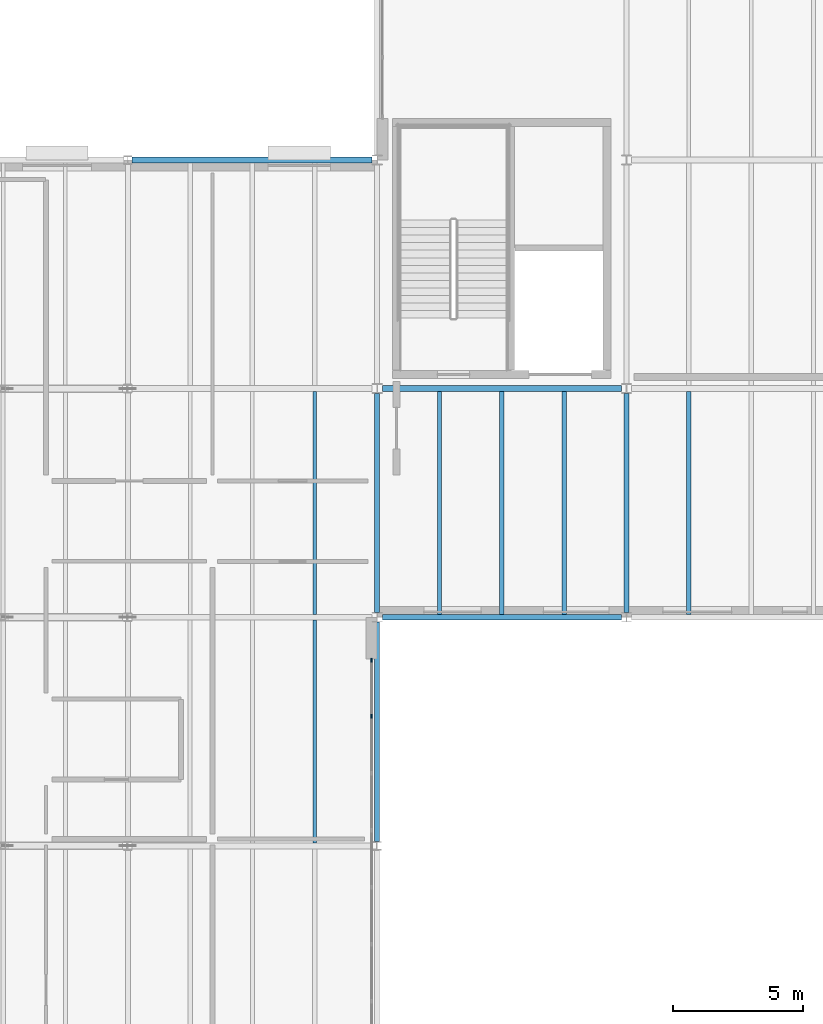
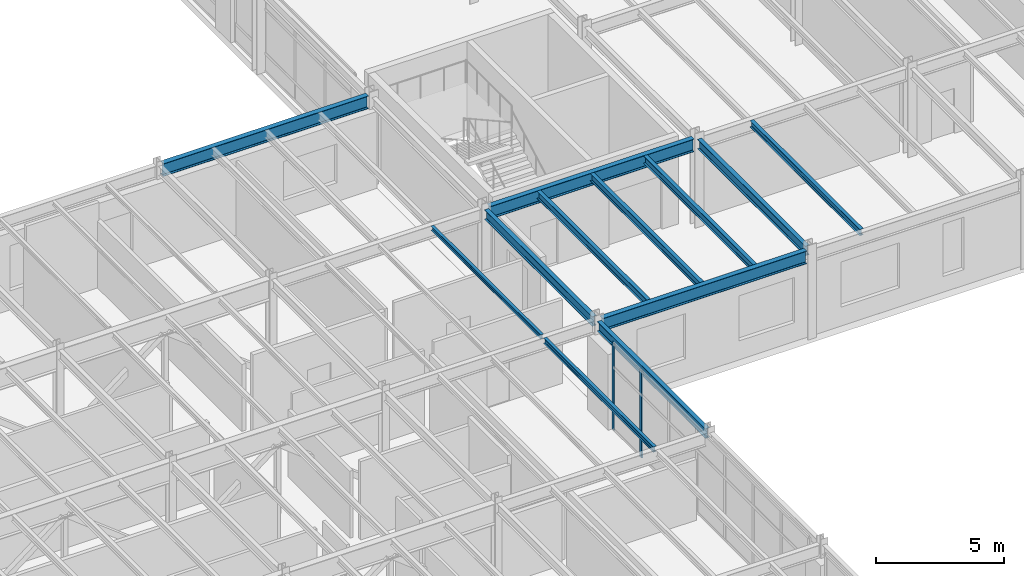
# One storey, part 35 of 88: 12 beams, 2 members, 1 element without a shape of its own.
"""IFC4 building model written with IfcOpenShell, lengths in metres."""

from ifc_helpers import new_model, si_unit, direction, frame, origin, origin_2d, place, context, subcontext, project, spatial, rectangle, i_section, extrude, material, material_profile, profile_set, type_object, element, aggregate, save


model = new_model("IFC4")

# Units and contexts
model_context = context("Model", 3, precision=1e-05, world=origin(), true_north=direction((0.0, 1.0)))
body_context = subcontext(model_context, "Body", "Model", "MODEL_VIEW")
ifc_project = project(units=[si_unit("LENGTHUNIT", "METRE"), si_unit("AREAUNIT", "SQUARE_METRE"), si_unit("VOLUMEUNIT", "CUBIC_METRE"), si_unit("PLANEANGLEUNIT", "RADIAN"), si_unit("MASSUNIT", "GRAM", prefix="KILO")], contexts=[model_context])

# Site, building, storey
site_placement = place(None, origin())
site = spatial("IfcSite", under=ifc_project, at=site_placement, CompositionType="ELEMENT")
building_placement = place(site_placement, origin())
building = spatial("IfcBuilding", under=site, at=building_placement, Name="Sarnbrook Museum", CompositionType="ELEMENT")
storey_placement = place(building_placement, frame((0.0, 0.0, 10.10009765625)))
storey = spatial("IfcBuildingStorey", under=building, at=storey_placement, Name="L02", CompositionType="ELEMENT", Elevation=10.10009765625)

# Beams
ifc_material_1 = material(Name="Structural Steel Grade 300PLUS (AS/NZS 3679.1, fy = 280 MPa for 17 < t <= 40 mm, 300 MPa for t <= 17 mm)", Category="steel")
ifc_material_profile_1 = material_profile(ifc_material_1, i_section(OverallWidth=0.18994140625, OverallDepth=0.45703125, WebThickness=0.009033203125, FlangeThickness=0.014404296875, FilletRadius=0.011474609375, at=origin_2d()), Name="460UB74.6")
ifc_profile_set_1 = profile_set([ifc_material_profile_1], Name="Structural Steel Grade 300PLUS (AS/NZS 3679.1, fy = 280 MPa for 17 < t <= 40 mm, 300 MPa for t <= 17 mm)")
beam_type_1 = type_object("IfcBeamType", Name="BM-UB460", PredefinedType="BEAM", material=ifc_profile_set_1)
beam_1_placement = place(storey_placement, frame((42.39990234375, 65.763427734375, 3.991455078125), z_axis=(0.0, 1.0, 0.0), x_axis=(-1.0, 0.0, 0.0)))
element("IfcBeam", 1, at=beam_1_placement, inside=storey, type_object=beam_type_1, Name="Girder 5:H-J L02", PredefinedType="BEAM", context=body_context, shape_type="SweptSolid", body=[
    extrude(i_section(OverallWidth=0.18994140625, OverallDepth=0.45703125, WebThickness=0.009033203125, FlangeThickness=0.014404296875, FilletRadius=0.011474609375, at=origin_2d()), origin(), (0.0, 0.0, 1.0), 8.445556640625),
])
for number, where, z_axis, x_axis, name in (
    (2, (42.39990234375, 74.591064453125, 3.9814453125), (0.0, 1.0, 0.0), (-1.0, 0.0, 0.0), "Girder 5:J-K L02"),
    (3, (52.0, 74.591064453125, 3.9814453125), (0.0, 1.0, 0.0), (-1.0, 0.0, 0.0), "Girder 6:J-K L02"),
):
    element("IfcBeam", number, at=place(storey_placement, frame(where, z_axis=z_axis, x_axis=x_axis)), inside=storey, type_object=beam_type_1, Name=name, PredefinedType="BEAM", context=body_context, shape_type="SweptSolid", body=[
        extrude(i_section(OverallWidth=0.18994140625, OverallDepth=0.45703125, WebThickness=0.009033203125, FlangeThickness=0.014404296875, FilletRadius=0.011474609375, at=origin_2d()), origin(), (0.0, 0.0, 1.0), 8.41796875),
    ])
ifc_material_profile_2 = material_profile(ifc_material_1, i_section(OverallWidth=0.22802734375, OverallDepth=0.60693359375, WebThickness=0.01123046875, FlangeThickness=0.017333984375, FilletRadius=0.013916015625, at=origin_2d()), Name="610UB113")
ifc_profile_set_2 = profile_set([ifc_material_profile_2], Name="Structural Steel Grade 300PLUS (AS/NZS 3679.1, fy = 280 MPa for 17 < t <= 40 mm, 300 MPa for t <= 17 mm)")
beam_type_2 = type_object("IfcBeamType", Name="BM-UB610", PredefinedType="BEAM", material=ifc_profile_set_2)
for number, where, z_axis, x_axis, name in (
    (4, (42.60009765625, 74.39990234375, 3.906494140625), (1.0, 0.0, 0.0), (0.0, 1.0, 0.0), "Girder J:5-6 L02"),
    (5, (42.60009765625, 83.199951171875, 3.906494140625), (1.0, 0.0, 0.0), (0.0, 1.0, 0.0), "Girder K:5-6 L02"),
):
    element("IfcBeam", number, at=place(storey_placement, frame(where, z_axis=z_axis, x_axis=x_axis)), inside=storey, type_object=beam_type_2, Name=name, PredefinedType="BEAM", context=body_context, shape_type="SweptSolid", body=[
        extrude(i_section(OverallWidth=0.22802734375, OverallDepth=0.60693359375, WebThickness=0.01123046875, FlangeThickness=0.017333984375, FilletRadius=0.013916015625, at=origin_2d()), origin(), (0.0, 0.0, 1.0), 9.199951171875),
    ])
beam_2_placement = place(storey_placement, frame((32.95556640625, 92.0, 3.986328125), z_axis=(1.0, 0.0, 0.0), x_axis=(0.0, 1.0, 0.0)))
element("IfcBeam", 6, at=beam_2_placement, inside=storey, type_object=beam_type_2, Name="Girder L:4-5 L02", PredefinedType="BEAM", context=body_context, shape_type="SweptSolid", body=[
    extrude(i_section(OverallWidth=0.22802734375, OverallDepth=0.60693359375, WebThickness=0.01123046875, FlangeThickness=0.017333984375, FilletRadius=0.013916015625, at=origin_2d()), origin(), (0.0, 0.0, 1.0), 9.244384765625),
])

# Curtain wall, members
ifc_material_2 = material(Name="Thermally Broken Anodised Aluminium 6063-T6", Category="aluminium")
curtain_wall_type = type_object("IfcCurtainWallType", Name="CurtainWall_GalleryRibbon", PredefinedType="NOTDEFINED", material=ifc_material_2)
curtain_wall_placement = place(storey_placement, origin())
curtain_wall = element("IfcCurtainWall", 7, at=curtain_wall_placement, inside=storey, type_object=curtain_wall_type, Name="Gallery Ribbon Curtain Wall L02-12.2", PredefinedType="NOTDEFINED")
ifc_material_profile_3 = material_profile(ifc_material_2, rectangle(XDim=0.06005859375, YDim=0.159912109375, at=origin_2d()), Name="ALU MULLION 60x160")
ifc_profile_set_3 = profile_set([ifc_material_profile_3], Name="Thermally Broken Anodised Aluminium 6063-T6")
member_type = type_object("IfcMemberType", Name="CW_Mullion_150x65", PredefinedType="MULLION", material=ifc_profile_set_3)
member_1_placement = place(storey_placement, frame((42.18994140625, 70.585693359375, 0.0), z_axis=(0.0, 0.0, 1.0), x_axis=(1.0, 0.0, 0.0)))
member_1 = element("IfcMember", 8, at=member_1_placement, type_object=member_type, Name="Gallery Ribbon Curtain Wall L02-12.2 Mullion 7", PredefinedType="MULLION", context=body_context, shape_type="SweptSolid", body=[
    extrude(rectangle(XDim=0.06005859375, YDim=0.159912109375, at=origin_2d()), origin(), (0.0, 0.0, 1.0), 4.159912109375),
])
member_2_placement = place(storey_placement, frame((42.18994140625, 72.739990234375, 0.0), z_axis=(0.0, 0.0, 1.0), x_axis=(1.0, 0.0, 0.0)))
member_2 = element("IfcMember", 9, at=member_2_placement, type_object=member_type, Name="Gallery Ribbon Curtain Wall L02-12.2 Mullion 8", PredefinedType="MULLION", context=body_context, shape_type="SweptSolid", body=[
    extrude(rectangle(XDim=0.06005859375, YDim=0.159912109375, at=origin_2d()), origin(), (0.0, 0.0, 1.0), 4.159912109375),
])
aggregate(curtain_wall, [member_1, member_2])

# Beams
ifc_material_profile_4 = material_profile(ifc_material_1, i_section(OverallWidth=0.134033203125, OverallDepth=0.20703125, WebThickness=0.00634765625, FlangeThickness=0.009521484375, FilletRadius=0.0087890625, at=origin_2d()), Name="200UB29.8")
ifc_profile_set_4 = profile_set([ifc_material_profile_4], Name="Structural Steel Grade 300PLUS (AS/NZS 3679.1, fy = 280 MPa for 17 < t <= 40 mm, 300 MPa for t <= 17 mm)")
beam_type_3 = type_object("IfcBeamType", Name="JS-UB200", PredefinedType="JOIST", material=ifc_profile_set_4)
beam_3_placement = place(storey_placement, frame((40.0, 74.513916015625, 4.116455078125), z_axis=(0.0, 1.0, 0.0), x_axis=(-1.0, 0.0, 0.0)))
element("IfcBeam", 10, at=beam_3_placement, inside=storey, type_object=beam_type_3, Name="Composite Floor Joist 4J-3 L02", PredefinedType="JOIST", context=body_context, shape_type="SweptSolid", body=[
    extrude(i_section(OverallWidth=0.134033203125, OverallDepth=0.20703125, WebThickness=0.00634765625, FlangeThickness=0.009521484375, FilletRadius=0.0087890625, at=origin_2d()), origin(), (0.0, 0.0, 1.0), 8.572021484375),
])
ifc_material_profile_5 = material_profile(ifc_material_1, i_section(OverallWidth=0.14599609375, OverallDepth=0.256103515625, WebThickness=0.00634765625, FlangeThickness=0.010986328125, FilletRadius=0.0087890625, at=origin_2d()), Name="250UB37.3")
ifc_profile_set_5 = profile_set([ifc_material_profile_5], Name="Structural Steel Grade 300PLUS (AS/NZS 3679.1, fy = 280 MPa for 17 < t <= 40 mm, 300 MPa for t <= 17 mm)")
beam_type_4 = type_object("IfcBeamType", Name="JS-UB250", PredefinedType="JOIST", material=ifc_profile_set_5)
beam_4_placement = place(storey_placement, frame((40.0, 65.714111328125, 4.091796875), z_axis=(0.0, 1.0, 0.0), x_axis=(-1.0, 0.0, 0.0)))
element("IfcBeam", 11, at=beam_4_placement, inside=storey, type_object=beam_type_4, Name="Composite Floor Joist 4H-3 L02", PredefinedType="JOIST", context=body_context, shape_type="SweptSolid", body=[
    extrude(i_section(OverallWidth=0.14599609375, OverallDepth=0.256103515625, WebThickness=0.00634765625, FlangeThickness=0.010986328125, FilletRadius=0.0087890625, at=origin_2d()), origin(), (0.0, 0.0, 1.0), 8.57177734375),
])
ifc_material_profile_6 = material_profile(ifc_material_1, i_section(OverallWidth=0.166015625, OverallDepth=0.306884765625, WebThickness=0.006591796875, FlangeThickness=0.01171875, FilletRadius=0.011474609375, at=origin_2d()), Name="310UB46.2")
ifc_profile_set_6 = profile_set([ifc_material_profile_6], Name="Structural Steel Grade 300PLUS (AS/NZS 3679.1, fy = 280 MPa for 17 < t <= 40 mm, 300 MPa for t <= 17 mm)")
beam_type_5 = type_object("IfcBeamType", Name="JS-UB310H", PredefinedType="JOIST", material=ifc_profile_set_6)
beam_5_placement = place(storey_placement, frame((54.39990234375, 74.513916015625, 4.056396484375), z_axis=(0.0, 1.0, 0.0), x_axis=(-1.0, 0.0, 0.0)))
element("IfcBeam", 12, at=beam_5_placement, inside=storey, type_object=beam_type_5, Name="Composite Floor Joist 6J-1 L02", PredefinedType="JOIST", context=body_context, shape_type="SweptSolid", body=[
    extrude(i_section(OverallWidth=0.166015625, OverallDepth=0.306884765625, WebThickness=0.006591796875, FlangeThickness=0.01171875, FilletRadius=0.011474609375, at=origin_2d()), origin(), (0.0, 0.0, 1.0), 8.572021484375),
])
ifc_material_profile_7 = material_profile(ifc_material_1, i_section(OverallWidth=0.1708984375, OverallDepth=0.35595703125, WebThickness=0.00732421875, FlangeThickness=0.011474609375, FilletRadius=0.011474609375, at=origin_2d()), Name="360UB50.7")
ifc_profile_set_7 = profile_set([ifc_material_profile_7], Name="Structural Steel Grade 300PLUS (AS/NZS 3679.1, fy = 280 MPa for 17 < t <= 40 mm, 300 MPa for t <= 17 mm)")
beam_type_6 = type_object("IfcBeamType", Name="JS-UB360", PredefinedType="JOIST", material=ifc_profile_set_7)
for number, where, z_axis, x_axis, name in (
    (13, (44.800048828125, 74.513916015625, 4.031982421875), (0.0, 1.0, 0.0), (-1.0, 0.0, 0.0), "Composite Floor Joist 5J-1 L02"),
    (14, (47.199951171875, 74.513916015625, 4.031982421875), (0.0, 1.0, 0.0), (-1.0, 0.0, 0.0), "Composite Floor Joist 5J-2 L02"),
    (15, (49.60009765625, 74.513916015625, 4.031982421875), (0.0, 1.0, 0.0), (-1.0, 0.0, 0.0), "Composite Floor Joist 5J-3 L02"),
):
    element("IfcBeam", number, at=place(storey_placement, frame(where, z_axis=z_axis, x_axis=x_axis)), inside=storey, type_object=beam_type_6, Name=name, PredefinedType="JOIST", context=body_context, shape_type="SweptSolid", body=[
        extrude(i_section(OverallWidth=0.1708984375, OverallDepth=0.35595703125, WebThickness=0.00732421875, FlangeThickness=0.011474609375, FilletRadius=0.011474609375, at=origin_2d()), origin(), (0.0, 0.0, 1.0), 8.572021484375),
    ])

save(model, "model.ifc")
